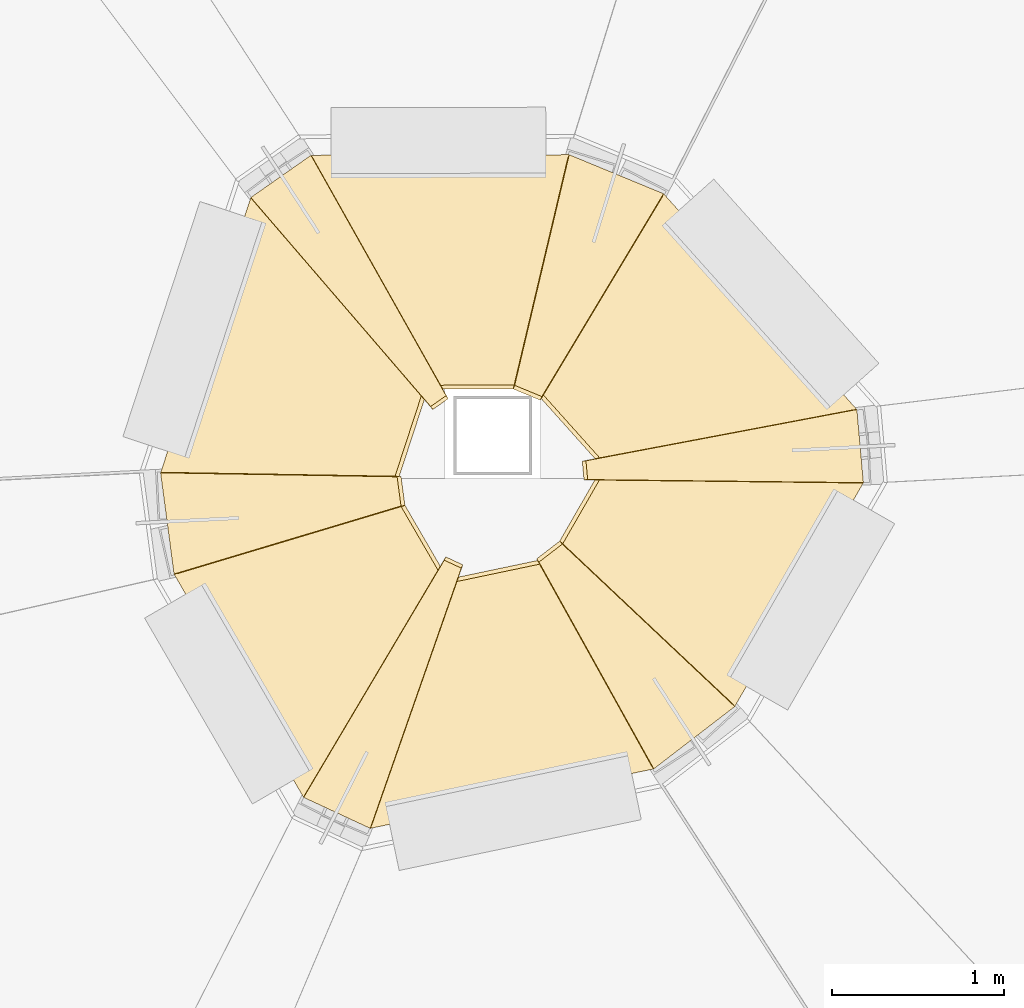
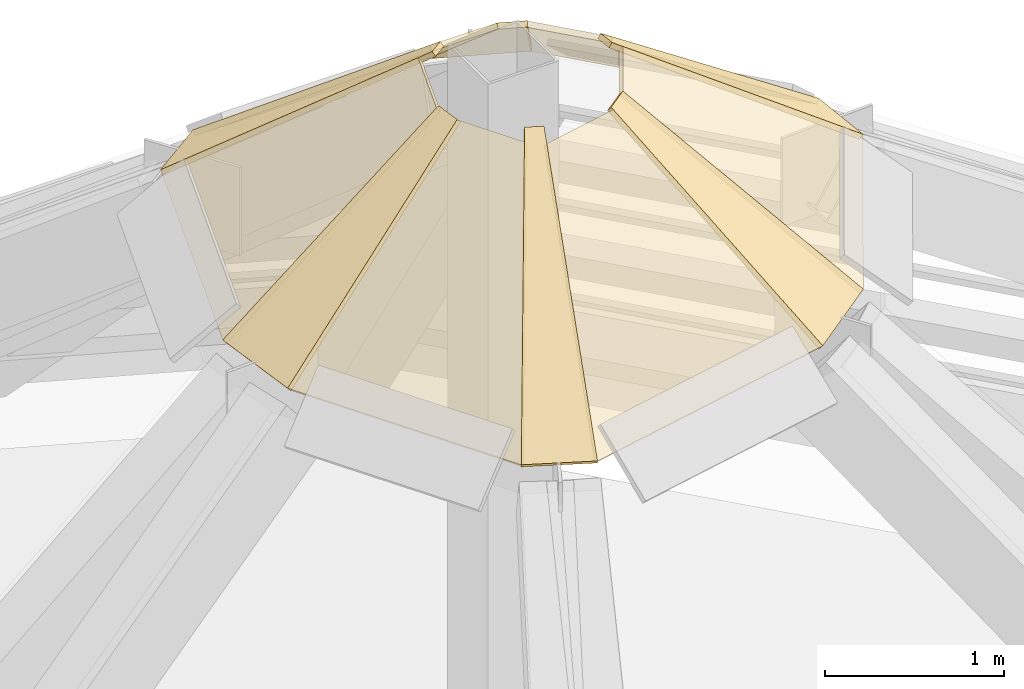
# One storey, part 10 of 10: 12 coverings, 12 elements without a shape of their own.
"""IFC4 building model written with IfcOpenShell, lengths in metres."""

from ifc_helpers import new_model, si_unit, direction, frame, origin, place, context, subcontext, project, spatial, polyline, outline, extrude, material, layer, layer_set, type_object, element, aggregate, save


model = new_model("IFC4")

# Units and contexts
model_context = context("Model", 3, precision=1e-05, world=origin(), true_north=direction((0.0, 1.0)))
body_context = subcontext(model_context, "Body", "Model", "MODEL_VIEW")
ifc_project = project(units=[si_unit("LENGTHUNIT", "METRE"), si_unit("AREAUNIT", "SQUARE_METRE"), si_unit("VOLUMEUNIT", "CUBIC_METRE"), si_unit("PLANEANGLEUNIT", "RADIAN"), si_unit("MASSUNIT", "GRAM", prefix="KILO")], contexts=[model_context])

# Site, building, storey
site_placement = place(None, origin())
site = spatial("IfcSite", under=ifc_project, at=site_placement, CompositionType="ELEMENT")
building_placement = place(site_placement, origin())
building = spatial("IfcBuilding", under=site, at=building_placement, Name="Isthmus Gate Tower", CompositionType="ELEMENT")
storey_placement = place(building_placement, frame((0.0, 0.0, 315.60009765625)))
storey = spatial("IfcBuildingStorey", under=building, at=storey_placement, Name="C4", CompositionType="ELEMENT", Elevation=315.60009765625)

# Curtain wall, covering
ifc_material_1 = material(Name="Aluminium, white powder-coated", Category="aluminium")
ifc_layer_1 = layer(ifc_material_1, 0.199951171875)
ifc_layer_set_1 = layer_set([ifc_layer_1], Name="CW-5 CROWN FACET CURTAIN WALL 200 DEEP")
curtain_wall_type = type_object("IfcCurtainWallType", Name="CW-5 CROWN FACET CURTAIN WALL 200 DEEP", PredefinedType="NOTDEFINED", material=ifc_layer_set_1)
curtain_wall_1_placement = place(storey_placement, origin())
curtain_wall_1 = element("IfcCurtainWall", 1, at=curtain_wall_1_placement, inside=storey, type_object=curtain_wall_type, Name="CW-5 facet 1", PredefinedType="NOTDEFINED")
ifc_material_2 = material(Name="Aluminium composite panel, pale champagne anodised", Category="aluminium")
ifc_layer_2 = layer(ifc_material_2, 0.035888671875)
ifc_layer_set_2 = layer_set([ifc_layer_2], Name="CW-5 APEX CAP PANEL 36")
covering_type = type_object("IfcCoveringType", Name="CW-5 APEX CAP PANEL 36", PredefinedType="CLADDING", material=ifc_layer_set_2)
placement = place(building_placement, frame((0.0, 0.0, 329.10009765625)))
covering_1_placement = place(placement, frame((0.445556640625, 1.884033203125, 3.349609375), z_axis=(5.377749e-05, 0.643272473639, 0.765637330442), x_axis=(-0.999996173638, -0.002083029515, 0.001820356424)))
covering_1 = element("IfcCovering", 2, at=covering_1_placement, type_object=covering_type, Name="CW-5 apex cap panel", PredefinedType="CLADDING", context=body_context, shape_type="SweptSolid", body=[
    extrude(outline(polyline([(0.0, 0.0), (1.5031795762678664, 4.336808689942018e-19), (0.7553318043358805, 1.7501554046409131), (0.32198099418813464, 1.7503220637355457), (0.0, 0.0)])), origin(), (0.0, 0.0, -1.0), 0.035888671875),
])
aggregate(curtain_wall_1, [covering_1])

curtain_wall_2_placement = place(storey_placement, origin())
curtain_wall_2 = element("IfcCurtainWall", 3, at=curtain_wall_2_placement, inside=storey, type_object=curtain_wall_type, Name="CW-5 facet 2", PredefinedType="NOTDEFINED")
covering_2_placement = place(placement, frame((-1.0576171875, 1.880615234375, 3.352294921875), z_axis=(-0.340778888466, 0.485147325073, 0.805296108366), x_axis=(-0.81860760401, -0.574353057264, -0.000395308014)))
covering_2 = element("IfcCovering", 4, at=covering_2_placement, type_object=covering_type, Name="CW-5 apex cap panel", PredefinedType="CLADDING", context=body_context, shape_type="SweptSolid", body=[
    extrude(outline(polyline([(0.0, 0.0), (0.427117018261895, 1.3823577699190182e-17), (0.26846280183290755, 1.9829606979827292), (0.15907859128883156, 1.9830147692709685), (0.0, 0.0)])), origin(), (0.0, 0.0, -1.0), 0.035888671875),
])
aggregate(curtain_wall_2, [covering_2])

curtain_wall_3_placement = place(storey_placement, origin())
curtain_wall_3 = element("IfcCurtainWall", 5, at=curtain_wall_3_placement, inside=storey, type_object=curtain_wall_type, Name="CW-5 facet 3", PredefinedType="NOTDEFINED")
covering_3_placement = place(placement, frame((-1.4072265625, 1.63525390625, 3.35205078125), z_axis=(-0.619024051737, 0.201075213949, 0.759195614916), x_axis=(-0.311377415541, -0.950283777182, -0.002201798253)))
covering_3 = element("IfcCovering", 6, at=covering_3_placement, type_object=covering_type, Name="CW-5 apex cap panel", PredefinedType="CLADDING", context=body_context, shape_type="SweptSolid", body=[
    extrude(outline(polyline([(0.0, 0.0), (1.6863936917054998, 4.206704429243757e-17), (1.2815546334202808, 1.7155660573986355), (0.7845063375028467, 1.7153066664525933), (0.0, 0.0)])), origin(), (0.0, 0.0, -1.0), 0.035888671875),
])
aggregate(curtain_wall_3, [covering_3])

curtain_wall_4_placement = place(storey_placement, origin())
curtain_wall_4 = element("IfcCurtainWall", 7, at=curtain_wall_4_placement, inside=storey, type_object=curtain_wall_type, Name="CW-5 facet 4", PredefinedType="NOTDEFINED")
covering_4_placement = place(placement, frame((-1.9326171875, 0.03271484375, 3.348388671875), z_axis=(-0.632587067158, -0.082803587112, 0.770050107737), x_axis=(0.132054286232, -0.991240678544, 0.001892798591)))
covering_4 = element("IfcCovering", 8, at=covering_4_placement, type_object=covering_type, Name="CW-5 apex cap panel", PredefinedType="CLADDING", context=body_context, shape_type="SweptSolid", body=[
    extrude(outline(polyline([(0.0, 0.0), (0.5940604019830633, 8.023096076392733e-18), (0.378084389241433, 1.7679949323555126), (0.20689415169100417, 1.7679692600733885), (0.0, 0.0)])), origin(), (0.0, 0.0, -1.0), 0.035888671875),
])
aggregate(curtain_wall_4, [covering_4])

curtain_wall_5_placement = place(storey_placement, origin())
curtain_wall_5 = element("IfcCurtainWall", 9, at=curtain_wall_5_placement, inside=storey, type_object=curtain_wall_type, Name="CW-5 facet 5", PredefinedType="NOTDEFINED")
covering_5_placement = place(placement, frame((-1.854248046875, -0.55615234375, 3.349609375), z_axis=(-0.557106084201, -0.321643923712, 0.765622620672), x_axis=(0.501832668409, -0.86496288885, 0.001781524408)))
covering_5 = element("IfcCovering", 10, at=covering_5_placement, type_object=covering_type, Name="CW-5 apex cap panel", PredefinedType="CLADDING", context=body_context, shape_type="SweptSolid", body=[
    extrude(outline(polyline([(0.0, 0.0), (1.5032897676194064, -8.803721640582296e-17), (0.7554301594092658, 1.7501528002316715), (0.32190446375503473, 1.750203345703728), (0.0, 0.0)])), origin(), (0.0, 0.0, -1.0), 0.035888671875),
])
aggregate(curtain_wall_5, [covering_5])

curtain_wall_6_placement = place(storey_placement, origin())
curtain_wall_6 = element("IfcCurtainWall", 11, at=curtain_wall_6_placement, inside=storey, type_object=curtain_wall_type, Name="CW-5 facet 6", PredefinedType="NOTDEFINED")
covering_6_placement = place(placement, frame((-1.099853515625, -1.856201171875, 3.352294921875), z_axis=(-0.249712585168, -0.537737288226, 0.805283945985), x_axis=(0.906715925085, -0.421741653801, -0.000456777492)))
covering_6 = element("IfcCovering", 12, at=covering_6_placement, type_object=covering_type, Name="CW-5 apex cap panel", PredefinedType="CLADDING", context=body_context, shape_type="SweptSolid", body=[
    extrude(outline(polyline([(0.0, 0.0), (0.42729589120927763, 2.9002408113987244e-17), (0.2683331218857828, 1.9829333279583365), (0.15899820046169305, 1.982931674611054), (0.0, 0.0)])), origin(), (0.0, 0.0, -1.0), 0.035888671875),
])
aggregate(curtain_wall_6, [covering_6])

curtain_wall_7_placement = place(storey_placement, origin())
curtain_wall_7 = element("IfcCurtainWall", 13, at=curtain_wall_7_placement, inside=storey, type_object=curtain_wall_type, Name="CW-5 facet 7", PredefinedType="NOTDEFINED")
covering_7_placement = place(placement, frame((-0.71240234375, -2.036376953125, 3.35205078125), z_axis=(0.135273110853, -0.636627760151, 0.75921425203), x_axis=(0.978674861214, 0.20540435775, -0.0021367839)))
covering_7 = element("IfcCovering", 14, at=covering_7_placement, type_object=covering_type, Name="CW-5 apex cap panel", PredefinedType="CLADDING", context=body_context, shape_type="SweptSolid", body=[
    extrude(outline(polyline([(0.0, 0.0), (1.686363012014434, 4.9439619065339e-17), (1.2812837006707702, 1.7154938829178827), (0.7843628285484524, 1.7154531139286275), (0.0, 0.0)])), origin(), (0.0, 0.0, -1.0), 0.035888671875),
])
aggregate(curtain_wall_7, [covering_7])

curtain_wall_8_placement = place(storey_placement, origin())
curtain_wall_8 = element("IfcCurtainWall", 15, at=curtain_wall_8_placement, inside=storey, type_object=curtain_wall_type, Name="CW-5 facet 8", PredefinedType="NOTDEFINED")
covering_8_placement = place(placement, frame((0.93798828125, -1.68994140625, 3.348388671875), z_axis=(0.387848190279, -0.506559488386, 0.770046275248), x_axis=(0.79254793018, 0.609806451127, 0.001967366788)))
covering_8 = element("IfcCovering", 16, at=covering_8_placement, type_object=covering_type, Name="CW-5 apex cap panel", PredefinedType="CLADDING", context=body_context, shape_type="SweptSolid", body=[
    extrude(outline(polyline([(0.0, 0.0), (0.5941864178766286, -7.26415455565288e-17), (0.37756072062945556, 1.7679401623734516), (0.20660041221938696, 1.7680036129364298), (0.0, 0.0)])), origin(), (0.0, 0.0, -1.0), 0.035888671875),
])
aggregate(curtain_wall_8, [covering_8])

curtain_wall_9_placement = place(storey_placement, origin())
curtain_wall_9 = element("IfcCurtainWall", 17, at=curtain_wall_9_placement, inside=storey, type_object=curtain_wall_type, Name="CW-5 facet 9", PredefinedType="NOTDEFINED")
covering_9_placement = place(placement, frame((1.40869140625, -1.32763671875, 3.349609375), z_axis=(0.557067762202, -0.321769264753, 0.765597837363), x_axis=(0.498314479642, 0.866994488608, 0.001798917173)))
covering_9 = element("IfcCovering", 18, at=covering_9_placement, type_object=covering_type, Name="CW-5 apex cap panel", PredefinedType="CLADDING", context=body_context, shape_type="SweptSolid", body=[
    extrude(outline(polyline([(0.0, 0.0), (1.5031409159713043, -4.4885969940899884e-17), (0.7550800416368286, 1.7500532448640373), (0.32165273958557394, 1.750155460534933), (0.0, 0.0)])), origin(), (0.0, 0.0, -1.0), 0.035888671875),
])
aggregate(curtain_wall_9, [covering_9])

curtain_wall_10_placement = place(storey_placement, origin())
curtain_wall_10 = element("IfcCurtainWall", 19, at=curtain_wall_10_placement, inside=storey, type_object=curtain_wall_type, Name="CW-5 facet 10", PredefinedType="NOTDEFINED")
covering_10_placement = place(placement, frame((2.157470703125, -0.0244140625, 3.352294921875), z_axis=(0.590512159761, 0.052947562159, 0.805289975621), x_axis=(-0.088561689509, 0.996070542113, -0.000549804931)))
covering_10 = element("IfcCovering", 20, at=covering_10_placement, type_object=covering_type, Name="CW-5 apex cap panel", PredefinedType="CLADDING", context=body_context, shape_type="SweptSolid", body=[
    extrude(outline(polyline([(0.0, 0.0), (0.4272164469195015, -1.81603863891322e-18), (0.2690341539120963, 1.9830037369035511), (0.15946725940404022, 1.9829177407050227), (0.0, 0.0)])), origin(), (0.0, 0.0, -1.0), 0.035888671875),
])
aggregate(curtain_wall_10, [covering_10])

curtain_wall_11_placement = place(storey_placement, origin())
curtain_wall_11 = element("IfcCurtainWall", 21, at=curtain_wall_11_placement, inside=storey, type_object=curtain_wall_type, Name="CW-5 facet 11", PredefinedType="NOTDEFINED")
covering_11_placement = place(placement, frame((2.11962890625, 0.401123046875, 3.35205078125), z_axis=(0.483708162293, 0.435404369791, 0.759242680899), x_axis=(-0.667150169709, 0.74492013721, -0.002154120631)))
covering_11 = element("IfcCovering", 22, at=covering_11_placement, type_object=covering_type, Name="CW-5 apex cap panel", PredefinedType="CLADDING", context=body_context, shape_type="SweptSolid", body=[
    extrude(outline(polyline([(0.0, 0.0), (1.686248632757822, 8.847089727481716e-17), (1.28118333994843, 1.71561525319131), (0.7842845423511863, 1.7155167734019336), (0.0, 0.0)])), origin(), (0.0, 0.0, -1.0), 0.035888671875),
])
aggregate(curtain_wall_11, [covering_11])

curtain_wall_12_placement = place(storey_placement, origin())
curtain_wall_12 = element("IfcCurtainWall", 23, at=curtain_wall_12_placement, inside=storey, type_object=curtain_wall_type, Name="CW-5 facet 12", PredefinedType="NOTDEFINED")
covering_12_placement = place(placement, frame((0.99462890625, 1.6572265625, 3.348388671875), z_axis=(0.244879407296, 0.589088914294, 0.770070338955), x_axis=(-0.924288287666, 0.381690213427, 0.001934491636)))
covering_12 = element("IfcCovering", 24, at=covering_12_placement, type_object=covering_type, Name="CW-5 apex cap panel", PredefinedType="CLADDING", context=body_context, shape_type="SweptSolid", body=[
    extrude(outline(polyline([(0.0, 0.0), (0.5940733007061105, -2.5153490401663703e-17), (0.37736362129493345, 1.7680404316791625), (0.20648282451846559, 1.7680638714652555), (0.0, 0.0)])), origin(), (0.0, 0.0, -1.0), 0.035888671875),
])
aggregate(curtain_wall_12, [covering_12])

save(model, "model.ifc")
